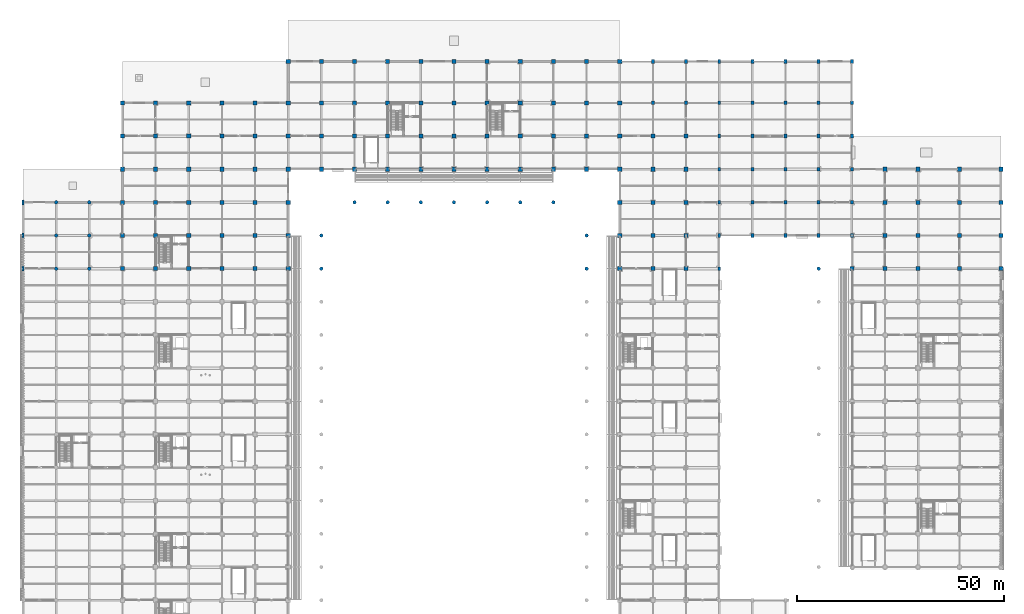
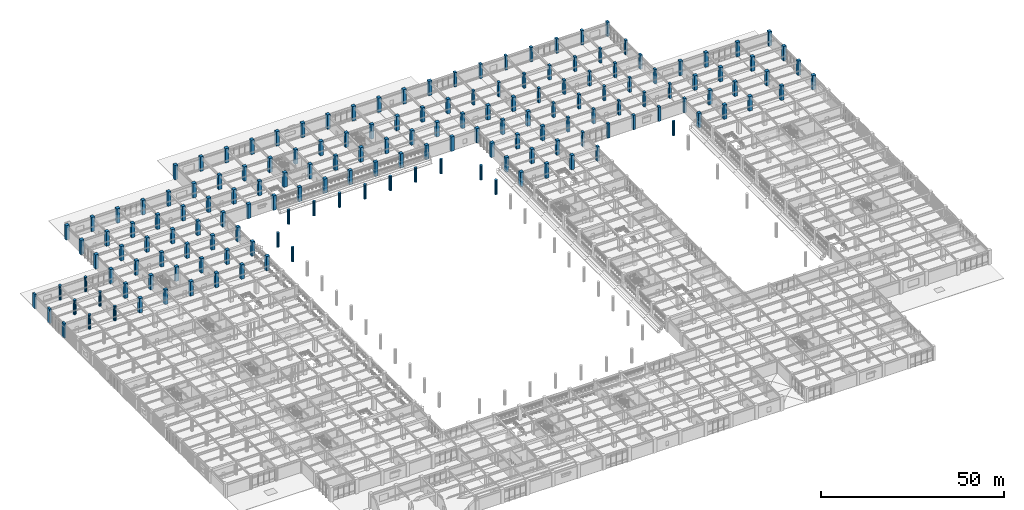
# One storey, part 6 of 117: 163 columns.
"""IFC4 building model written with IfcOpenShell, lengths in metres."""

import ifcopenshell
import ifcopenshell.guid

model = None  # the IFC model being written
_history = None  # IfcOwnerHistory: only IFC2X3 demands one
_inside = {}  # id of a spatial element -> (the spatial element, [elements in it])
_under = {}  # id of a project, library or spatial element -> (it, [spatial elements below it])
_declared = {}  # id of a project -> (the project, [libraries it declares])
_typed = {}  # id of a type object -> (the type object, [elements of that type])
_made_of = {}  # id of a material, layer set ... -> (it, [elements and type objects made of it])


def new_model(schema):
    """Start an empty IFC model of exactly this schema.

    Asked for "IFC4X3", IfcOpenShell would pick the latest addendum, in which some entities
    have other attributes; the version numbers below select the first issue.
    IFC2X3 requires an IfcOwnerHistory on every rooted entity: one is made here for all.
    """
    global model, _history
    if schema == "IFC4X3":
        model = ifcopenshell.file(schema_version=(4, 3, 0, 0))
    else:
        model = ifcopenshell.file(schema=schema)
    _inside.clear()
    _under.clear()
    _declared.clear()
    _typed.clear()
    _made_of.clear()
    _history = None
    if model.schema == "IFC2X3":
        org = make("IfcOrganization", Name="unknown")
        user = make(
            "IfcPersonAndOrganization",
            ThePerson=make("IfcPerson", FamilyName="unknown"),
            TheOrganization=org,
        )
        app = make(
            "IfcApplication",
            ApplicationDeveloper=org,
            Version="unknown",
            ApplicationFullName="unknown",
            ApplicationIdentifier="unknown",
        )
        _history = make(
            "IfcOwnerHistory",
            OwningUser=user,
            OwningApplication=app,
            ChangeAction="ADDED",
            CreationDate=0,
        )
    return model


def make(cls, **values):
    """One entity of the class cls with the attributes given. An attribute that is None is left unset."""
    return model.create_entity(
        cls, **{name: value for name, value in values.items() if value is not None}
    )


def rooted(cls, **values):
    """An entity with a GlobalId (a new one), such as an element, a storey or a relation."""
    return make(cls, GlobalId=ifcopenshell.guid.new(), OwnerHistory=_history, **values)


def si_unit(unit_type, name, prefix=None):
    """IfcSIUnit, for example si_unit("LENGTHUNIT", "METRE", prefix="MILLI")."""
    return make("IfcSIUnit", UnitType=unit_type, Prefix=prefix, Name=name)


def assignment(units):
    """IfcUnitAssignment: the units of a project."""
    return None if units is None else make("IfcUnitAssignment", Units=units)


def point(xyz):
    """IfcCartesianPoint."""
    return None if xyz is None else make("IfcCartesianPoint", Coordinates=xyz)


def direction(xyz):
    """IfcDirection."""
    return None if xyz is None else make("IfcDirection", DirectionRatios=xyz)


def frame(location, z_axis=None, x_axis=None):
    """IfcAxis2Placement3D, a coordinate frame: its origin and axes. An axis left out is left unset."""
    return make(
        "IfcAxis2Placement3D",
        Location=point(location),
        Axis=direction(z_axis),
        RefDirection=direction(x_axis),
    )


def frame_2d(location, x_axis=None):
    """IfcAxis2Placement2D, a coordinate frame in the plane: its origin and x axis."""
    return make(
        "IfcAxis2Placement2D", Location=point(location), RefDirection=direction(x_axis)
    )


def origin():
    """The frame at (0, 0, 0) with its axes left unset."""
    return frame((0.0, 0.0, 0.0))


def origin_2d():
    """The frame at (0, 0) in the plane with its x axis left unset."""
    return frame_2d((0.0, 0.0))


def place(relative_to, where):
    """IfcLocalPlacement: puts the frame where relative to a parent placement (None: the world)."""
    return make(
        "IfcLocalPlacement", PlacementRelTo=relative_to, RelativePlacement=where
    )


def context(
    kind, dimensions, precision=None, world=None, true_north=None, identifier=None
):
    """IfcGeometricRepresentationContext, for example the 3D "Model" context."""
    return make(
        "IfcGeometricRepresentationContext",
        ContextIdentifier=identifier,
        ContextType=kind,
        CoordinateSpaceDimension=dimensions,
        Precision=precision,
        WorldCoordinateSystem=world,
        TrueNorth=true_north,
    )


def subcontext(parent, identifier, kind, view, scale=None):
    """IfcGeometricRepresentationSubContext, for example "Body" below "Model"."""
    return make(
        "IfcGeometricRepresentationSubContext",
        ContextIdentifier=identifier,
        ContextType=kind,
        ParentContext=parent,
        TargetScale=scale,
        TargetView=view,
    )


def project(units=None, contexts=None):
    """IfcProject with its units and contexts."""
    return rooted(
        "IfcProject",
        Name="project",
        RepresentationContexts=contexts,
        UnitsInContext=assignment(units),
    )


def spatial(cls, under=None, at=None, **own):
    """A site, building, storey or space (cls), placed at a placement, below another one or the project."""
    s = rooted(cls, ObjectPlacement=at, **own)
    if under is not None:
        _under.setdefault(under.id(), (under, []))[1].append(s)
    return s


def profile(cls, at=None, kind="AREA", **sizes):
    """A parametric profile (cls). Its sizes go by their IFC names, for example OverallWidth=200.0."""
    return make(cls, ProfileType=kind, Position=at, **sizes)


def rectangle(**sizes):
    """IfcRectangleProfileDef."""
    return profile("IfcRectangleProfileDef", **sizes)


def circle(**sizes):
    """IfcCircleProfileDef."""
    return profile("IfcCircleProfileDef", **sizes)


def extrude(swept, where, along, depth):
    """IfcExtrudedAreaSolid: the profile swept, set in the frame where, extruded along a direction by depth."""
    return make(
        "IfcExtrudedAreaSolid",
        SweptArea=swept,
        Position=where,
        ExtrudedDirection=direction(along),
        Depth=depth,
    )


def shape(context_of_items, identifier, shape_type, items):
    """IfcShapeRepresentation: the items that make up one representation, for example the "Body"."""
    return make(
        "IfcShapeRepresentation",
        ContextOfItems=context_of_items,
        RepresentationIdentifier=identifier,
        RepresentationType=shape_type,
        Items=items,
    )


def material(Name=None, Category=None):
    """IfcMaterial."""
    return make("IfcMaterial", Name=Name, Category=Category)


def material_profile(
    of_material, cross_section, Name=None, Category=None, Priority=None
):
    """IfcMaterialProfile: a cross section and its material."""
    return make(
        "IfcMaterialProfile",
        Name=Name,
        Material=of_material,
        Profile=cross_section,
        Priority=Priority,
        Category=Category,
    )


def profile_set(profiles, Name=None, composite=None):
    """IfcMaterialProfileSet."""
    return make(
        "IfcMaterialProfileSet",
        Name=Name,
        MaterialProfiles=profiles,
        CompositeProfile=composite,
    )


def made_of(thing, what):
    """Note that an element or type object is made of a material, layer set ...; save() writes the relation."""
    if what is not None:
        _made_of.setdefault(what.id(), (what, []))[1].append(thing)
    return thing


def type_object(cls, material=None, **own):
    """A type object (cls), such as IfcWallType, which elements share."""
    return made_of(rooted(cls, **own), material)


def element(
    cls,
    number,
    at=None,
    inside=None,
    cuts=None,
    type_object=None,
    material=None,
    context=None,
    identifier="Body",
    shape_type=None,
    held_by="IfcProductDefinitionShape",
    body=None,
    shapes=None,
    **own,
):
    """One element of the class cls, such as IfcWall. Its Tag is "e" and its number.

    at: its placement. inside: the storey or other place that contains it. cuts: it is an
    opening in that element (IfcRelVoidsElement). A single representation is given by context,
    identifier, shape_type and body (its items); several are given by shapes. held_by: the class
    of the entity that holds the representations. save() writes the other relations.
    """
    e = rooted(cls, Tag="e%d" % number, ObjectPlacement=at, **own)
    if body is not None:
        shapes = [shape(context, identifier, shape_type, body)]
    if shapes is not None:
        e.Representation = make(held_by, Representations=shapes)
    if inside is not None:
        _inside.setdefault(inside.id(), (inside, []))[1].append(e)
    if cuts is not None:
        rooted(
            "IfcRelVoidsElement", RelatingBuildingElement=cuts, RelatedOpeningElement=e
        )
    if type_object is not None:
        _typed.setdefault(type_object.id(), (type_object, []))[1].append(e)
    return made_of(e, material)


def aggregate(whole, parts):
    """IfcRelAggregates: a whole, such as a stair, and the parts it consists of."""
    return rooted("IfcRelAggregates", RelatingObject=whole, RelatedObjects=parts)


def save(model, path):
    """Write the relations noted so far, then the file.

    IfcRelAggregates (storeys below a building ...), IfcRelContainedInSpatialStructure (elements
    in a storey), IfcRelDefinesByType, IfcRelAssociatesMaterial and IfcRelDeclares: one each for
    every whole, place, type object, material and project.
    """
    for whole, parts in _under.values():
        aggregate(whole, parts)
    for where, things in _inside.values():
        rooted(
            "IfcRelContainedInSpatialStructure",
            RelatedElements=things,
            RelatingStructure=where,
        )
    for kind, things in _typed.values():
        rooted("IfcRelDefinesByType", RelatedObjects=things, RelatingType=kind)
    for what, things in _made_of.values():
        rooted("IfcRelAssociatesMaterial", RelatedObjects=things, RelatingMaterial=what)
    for by, libraries in _declared.values():
        rooted("IfcRelDeclares", RelatingContext=by, RelatedDefinitions=libraries)
    model.write(path)


model = new_model("IFC4")

# Units and contexts
model_context = context("Model", 3, precision=1e-05, world=origin(), true_north=direction((0.0, 1.0)))
body_context = subcontext(model_context, "Body", "Model", "MODEL_VIEW")
ifc_project = project(units=[si_unit("LENGTHUNIT", "METRE"), si_unit("AREAUNIT", "SQUARE_METRE"), si_unit("VOLUMEUNIT", "CUBIC_METRE"), si_unit("PLANEANGLEUNIT", "RADIAN"), si_unit("MASSUNIT", "GRAM", prefix="KILO")], contexts=[model_context])

# Site, building, storey
site_placement = place(None, origin())
site = spatial("IfcSite", under=ifc_project, at=site_placement, CompositionType="ELEMENT")
building_placement = place(site_placement, origin())
building = spatial("IfcBuilding", under=site, at=building_placement, Name="Haebicheon Civic Stadium", CompositionType="ELEMENT")
storey_placement = place(building_placement, frame((0.0, 0.0, 4.800048828125)))
storey = spatial("IfcBuildingStorey", under=building, at=storey_placement, Name="L02", CompositionType="ELEMENT", Elevation=4.800048828125)

# Columns
ifc_material_1 = material(Name="Concrete C40/50", Category="concrete")
ifc_material_profile_1 = material_profile(ifc_material_1, rectangle(XDim=1.0, YDim=1.0, at=origin_2d()), Name="RC-COL-1000x1000")
ifc_profile_set_1 = profile_set([ifc_material_profile_1], Name="Concrete C40/50")
column_type_1 = type_object("IfcColumnType", Name="COL-RC-1000", PredefinedType="COLUMN", material=ifc_profile_set_1)
for number, where, z_axis, x_axis, name in (
    (1, (24.0, 128.0, 0.0), (0.0, 0.0, 1.0), (1.0, 0.0, 0.0), "L02 column 4/S"),
    (2, (24.0, 136.0, 0.0), (0.0, 0.0, 1.0), (1.0, 0.0, 0.0), "L02 column 4/T"),
    (3, (24.0, 144.0, 0.0), (0.0, 0.0, 1.0), (1.0, 0.0, 0.0), "L02 column 4/U"),
    (4, (24.0, 152.0, 0.0), (0.0, 0.0, 1.0), (1.0, 0.0, 0.0), "L02 column 4/V"),
    (5, (24.0, 160.0, 0.0), (0.0, 0.0, 1.0), (1.0, 0.0, 0.0), "L02 column 4/W"),
    (6, (24.0, 168.0, 0.0), (0.0, 0.0, 1.0), (1.0, 0.0, 0.0), "L02 column 4/X"),
    (7, (32.0, 128.0, 0.0), (0.0, 0.0, 1.0), (1.0, 0.0, 0.0), "L02 column 5/S"),
    (8, (32.0, 136.0, 0.0), (0.0, 0.0, 1.0), (1.0, 0.0, 0.0), "L02 column 5/T"),
    (9, (32.0, 144.0, 0.0), (0.0, 0.0, 1.0), (1.0, 0.0, 0.0), "L02 column 5/U"),
    (10, (32.0, 152.0, 0.0), (0.0, 0.0, 1.0), (1.0, 0.0, 0.0), "L02 column 5/V"),
    (11, (32.0, 160.0, 0.0), (0.0, 0.0, 1.0), (1.0, 0.0, 0.0), "L02 column 5/W"),
    (12, (32.0, 168.0, 0.0), (0.0, 0.0, 1.0), (1.0, 0.0, 0.0), "L02 column 5/X"),
    (13, (40.0, 128.0, 0.0), (0.0, 0.0, 1.0), (1.0, 0.0, 0.0), "L02 column 6/S"),
    (14, (40.0, 136.0, 0.0), (0.0, 0.0, 1.0), (1.0, 0.0, 0.0), "L02 column 6/T"),
    (15, (40.0, 144.0, 0.0), (0.0, 0.0, 1.0), (1.0, 0.0, 0.0), "L02 column 6/U"),
    (16, (40.0, 152.0, 0.0), (0.0, 0.0, 1.0), (1.0, 0.0, 0.0), "L02 column 6/V"),
    (17, (40.0, 160.0, 0.0), (0.0, 0.0, 1.0), (1.0, 0.0, 0.0), "L02 column 6/W"),
    (18, (40.0, 168.0, 0.0), (0.0, 0.0, 1.0), (1.0, 0.0, 0.0), "L02 column 6/X"),
    (19, (48.0, 128.0, 0.0), (0.0, 0.0, 1.0), (1.0, 0.0, 0.0), "L02 column 7/S"),
    (20, (48.0, 136.0, 0.0), (0.0, 0.0, 1.0), (1.0, 0.0, 0.0), "L02 column 7/T"),
    (21, (48.0, 144.0, 0.0), (0.0, 0.0, 1.0), (1.0, 0.0, 0.0), "L02 column 7/U"),
    (22, (48.0, 152.0, 0.0), (0.0, 0.0, 1.0), (1.0, 0.0, 0.0), "L02 column 7/V"),
    (23, (48.0, 160.0, 0.0), (0.0, 0.0, 1.0), (1.0, 0.0, 0.0), "L02 column 7/W"),
    (24, (48.0, 168.0, 0.0), (0.0, 0.0, 1.0), (1.0, 0.0, 0.0), "L02 column 7/X"),
    (25, (56.0, 128.0, 0.0), (0.0, 0.0, 1.0), (1.0, 0.0, 0.0), "L02 column 8/S"),
    (26, (56.0, 136.0, 0.0), (0.0, 0.0, 1.0), (1.0, 0.0, 0.0), "L02 column 8/T"),
    (27, (56.0, 144.0, 0.0), (0.0, 0.0, 1.0), (1.0, 0.0, 0.0), "L02 column 8/U"),
    (28, (56.0, 152.0, 0.0), (0.0, 0.0, 1.0), (1.0, 0.0, 0.0), "L02 column 8/V"),
    (29, (56.0, 160.0, 0.0), (0.0, 0.0, 1.0), (1.0, 0.0, 0.0), "L02 column 8/W"),
    (30, (56.0, 168.0, 0.0), (0.0, 0.0, 1.0), (1.0, 0.0, 0.0), "L02 column 8/X"),
    (31, (64.0, 128.0, 0.0), (0.0, 0.0, 1.0), (1.0, 0.0, 0.0), "L02 column 9/S"),
    (32, (64.0, 136.0, 0.0), (0.0, 0.0, 1.0), (1.0, 0.0, 0.0), "L02 column 9/T"),
    (33, (64.0, 144.0, 0.0), (0.0, 0.0, 1.0), (1.0, 0.0, 0.0), "L02 column 9/U"),
    (34, (64.0, 152.0, 0.0), (0.0, 0.0, 1.0), (1.0, 0.0, 0.0), "L02 column 9/V"),
    (35, (64.0, 160.0, 0.0), (0.0, 0.0, 1.0), (1.0, 0.0, 0.0), "L02 column 9/W"),
    (36, (64.0, 168.0, 0.0), (0.0, 0.0, 1.0), (1.0, 0.0, 0.0), "L02 column 9/X"),
    (37, (64.0, 178.0, 0.0), (0.0, 0.0, 1.0), (1.0, 0.0, 0.0), "L02 column 9/Y"),
    (38, (72.0, 152.0, 0.0), (0.0, 0.0, 1.0), (1.0, 0.0, 0.0), "L02 column 10/V"),
    (39, (72.0, 160.0, 0.0), (0.0, 0.0, 1.0), (1.0, 0.0, 0.0), "L02 column 10/W"),
    (40, (72.0, 168.0, 0.0), (0.0, 0.0, 1.0), (1.0, 0.0, 0.0), "L02 column 10/X"),
    (41, (72.0, 178.0, 0.0), (0.0, 0.0, 1.0), (1.0, 0.0, 0.0), "L02 column 10/Y"),
    (42, (80.0, 152.0, 0.0), (0.0, 0.0, 1.0), (1.0, 0.0, 0.0), "L02 column 11/V"),
    (43, (80.0, 160.0, 0.0), (0.0, 0.0, 1.0), (1.0, 0.0, 0.0), "L02 column 11/W"),
    (44, (80.0, 168.0, 0.0), (0.0, 0.0, 1.0), (1.0, 0.0, 0.0), "L02 column 11/X"),
    (45, (80.0, 178.0, 0.0), (0.0, 0.0, 1.0), (1.0, 0.0, 0.0), "L02 column 11/Y"),
    (46, (88.0, 152.0, 0.0), (0.0, 0.0, 1.0), (1.0, 0.0, 0.0), "L02 column 12/V"),
    (47, (88.0, 160.0, 0.0), (0.0, 0.0, 1.0), (1.0, 0.0, 0.0), "L02 column 12/W"),
    (48, (88.0, 168.0, 0.0), (0.0, 0.0, 1.0), (1.0, 0.0, 0.0), "L02 column 12/X"),
    (49, (88.0, 178.0, 0.0), (0.0, 0.0, 1.0), (1.0, 0.0, 0.0), "L02 column 12/Y"),
    (50, (96.0, 152.0, 0.0), (0.0, 0.0, 1.0), (1.0, 0.0, 0.0), "L02 column 13/V"),
    (51, (96.0, 160.0, 0.0), (0.0, 0.0, 1.0), (1.0, 0.0, 0.0), "L02 column 13/W"),
    (52, (96.0, 168.0, 0.0), (0.0, 0.0, 1.0), (1.0, 0.0, 0.0), "L02 column 13/X"),
    (53, (96.0, 178.0, 0.0), (0.0, 0.0, 1.0), (1.0, 0.0, 0.0), "L02 column 13/Y"),
    (54, (104.0, 152.0, 0.0), (0.0, 0.0, 1.0), (1.0, 0.0, 0.0), "L02 column 14/V"),
    (55, (104.0, 160.0, 0.0), (0.0, 0.0, 1.0), (1.0, 0.0, 0.0), "L02 column 14/W"),
    (56, (104.0, 168.0, 0.0), (0.0, 0.0, 1.0), (1.0, 0.0, 0.0), "L02 column 14/X"),
    (57, (104.0, 178.0, 0.0), (0.0, 0.0, 1.0), (1.0, 0.0, 0.0), "L02 column 14/Y"),
    (58, (112.0, 152.0, 0.0), (0.0, 0.0, 1.0), (1.0, 0.0, 0.0), "L02 column 15/V"),
    (59, (112.0, 160.0, 0.0), (0.0, 0.0, 1.0), (1.0, 0.0, 0.0), "L02 column 15/W"),
    (60, (112.0, 168.0, 0.0), (0.0, 0.0, 1.0), (1.0, 0.0, 0.0), "L02 column 15/X"),
    (61, (112.0, 178.0, 0.0), (0.0, 0.0, 1.0), (1.0, 0.0, 0.0), "L02 column 15/Y"),
    (62, (120.0, 152.0, 0.0), (0.0, 0.0, 1.0), (1.0, 0.0, 0.0), "L02 column 16/V"),
    (63, (120.0, 160.0, 0.0), (0.0, 0.0, 1.0), (1.0, 0.0, 0.0), "L02 column 16/W"),
    (64, (120.0, 168.0, 0.0), (0.0, 0.0, 1.0), (1.0, 0.0, 0.0), "L02 column 16/X"),
    (65, (120.0, 178.0, 0.0), (0.0, 0.0, 1.0), (1.0, 0.0, 0.0), "L02 column 16/Y"),
    (66, (128.0, 152.0, 0.0), (0.0, 0.0, 1.0), (1.0, 0.0, 0.0), "L02 column 17/V"),
    (67, (128.0, 160.0, 0.0), (0.0, 0.0, 1.0), (1.0, 0.0, 0.0), "L02 column 17/W"),
    (68, (128.0, 168.0, 0.0), (0.0, 0.0, 1.0), (1.0, 0.0, 0.0), "L02 column 17/X"),
    (69, (128.0, 178.0, 0.0), (0.0, 0.0, 1.0), (1.0, 0.0, 0.0), "L02 column 17/Y"),
    (70, (136.0, 152.0, 0.0), (0.0, 0.0, 1.0), (1.0, 0.0, 0.0), "L02 column 18/V"),
    (71, (136.0, 160.0, 0.0), (0.0, 0.0, 1.0), (1.0, 0.0, 0.0), "L02 column 18/W"),
    (72, (136.0, 168.0, 0.0), (0.0, 0.0, 1.0), (1.0, 0.0, 0.0), "L02 column 18/X"),
    (73, (136.0, 178.0, 0.0), (0.0, 0.0, 1.0), (1.0, 0.0, 0.0), "L02 column 18/Y"),
    (74, (144.0, 128.0, 0.0), (0.0, 0.0, 1.0), (1.0, 0.0, 0.0), "L02 column 19/S"),
    (75, (144.0, 136.0, 0.0), (0.0, 0.0, 1.0), (1.0, 0.0, 0.0), "L02 column 19/T"),
    (76, (144.0, 144.0, 0.0), (0.0, 0.0, 1.0), (1.0, 0.0, 0.0), "L02 column 19/U"),
    (77, (144.0, 152.0, 0.0), (0.0, 0.0, 1.0), (1.0, 0.0, 0.0), "L02 column 19/V"),
    (78, (144.0, 160.0, 0.0), (0.0, 0.0, 1.0), (1.0, 0.0, 0.0), "L02 column 19/W"),
    (79, (144.0, 168.0, 0.0), (0.0, 0.0, 1.0), (1.0, 0.0, 0.0), "L02 column 19/X"),
    (80, (144.0, 178.0, 0.0), (0.0, 0.0, 1.0), (1.0, 0.0, 0.0), "L02 column 19/Y"),
    (81, (152.0, 128.0, 0.0), (0.0, 0.0, 1.0), (1.0, 0.0, 0.0), "L02 column 20/S"),
    (82, (152.0, 136.0, 0.0), (0.0, 0.0, 1.0), (1.0, 0.0, 0.0), "L02 column 20/T"),
    (83, (152.0, 144.0, 0.0), (0.0, 0.0, 1.0), (1.0, 0.0, 0.0), "L02 column 20/U"),
    (84, (152.0, 152.0, 0.0), (0.0, 0.0, 1.0), (1.0, 0.0, 0.0), "L02 column 20/V"),
    (85, (152.0, 160.0, 0.0), (0.0, 0.0, 1.0), (1.0, 0.0, 0.0), "L02 column 20/W"),
    (86, (160.0, 128.0, 0.0), (0.0, 0.0, 1.0), (1.0, 0.0, 0.0), "L02 column 21/S"),
    (87, (160.0, 136.0, 0.0), (0.0, 0.0, 1.0), (1.0, 0.0, 0.0), "L02 column 21/T"),
    (88, (160.0, 144.0, 0.0), (0.0, 0.0, 1.0), (1.0, 0.0, 0.0), "L02 column 21/U"),
    (89, (160.0, 152.0, 0.0), (0.0, 0.0, 1.0), (1.0, 0.0, 0.0), "L02 column 21/V"),
    (90, (160.0, 160.0, 0.0), (0.0, 0.0, 1.0), (1.0, 0.0, 0.0), "L02 column 21/W"),
    (91, (200.0, 128.0, 0.0), (0.0, 0.0, 1.0), (1.0, 0.0, 0.0), "L02 column 26/S"),
    (92, (208.0, 128.0, 0.0), (0.0, 0.0, 1.0), (1.0, 0.0, 0.0), "L02 column 27/S"),
    (93, (208.0, 136.0, 0.0), (0.0, 0.0, 1.0), (1.0, 0.0, 0.0), "L02 column 27/T"),
    (94, (208.0, 144.0, 0.0), (0.0, 0.0, 1.0), (1.0, 0.0, 0.0), "L02 column 27/U"),
    (95, (208.0, 152.0, 0.0), (0.0, 0.0, 1.0), (1.0, 0.0, 0.0), "L02 column 27/V"),
    (96, (216.0, 128.0, 0.0), (0.0, 0.0, 1.0), (1.0, 0.0, 0.0), "L02 column 28/S"),
    (97, (216.0, 136.0, 0.0), (0.0, 0.0, 1.0), (1.0, 0.0, 0.0), "L02 column 28/T"),
    (98, (216.0, 144.0, 0.0), (0.0, 0.0, 1.0), (1.0, 0.0, 0.0), "L02 column 28/U"),
    (99, (216.0, 152.0, 0.0), (0.0, 0.0, 1.0), (1.0, 0.0, 0.0), "L02 column 28/V"),
    (100, (226.0, 128.0, 0.0), (0.0, 0.0, 1.0), (1.0, 0.0, 0.0), "L02 column 29/S"),
    (101, (226.0, 136.0, 0.0), (0.0, 0.0, 1.0), (1.0, 0.0, 0.0), "L02 column 29/T"),
    (102, (226.0, 144.0, 0.0), (0.0, 0.0, 1.0), (1.0, 0.0, 0.0), "L02 column 29/U"),
    (103, (226.0, 152.0, 0.0), (0.0, 0.0, 1.0), (1.0, 0.0, 0.0), "L02 column 29/V"),
    (104, (236.0, 128.0, 0.0), (0.0, 0.0, 1.0), (1.0, 0.0, 0.0), "L02 column 30/S"),
    (105, (236.0, 136.0, 0.0), (0.0, 0.0, 1.0), (1.0, 0.0, 0.0), "L02 column 30/T"),
    (106, (236.0, 144.0, 0.0), (0.0, 0.0, 1.0), (1.0, 0.0, 0.0), "L02 column 30/U"),
    (107, (236.0, 152.0, 0.0), (0.0, 0.0, 1.0), (1.0, 0.0, 0.0), "L02 column 30/V"),
):
    element("IfcColumn", number, at=place(storey_placement, frame(where, z_axis=z_axis, x_axis=x_axis)), inside=storey, type_object=column_type_1, material=ifc_profile_set_1, Name=name, PredefinedType="COLUMN", context=body_context, shape_type="SweptSolid", body=[
        extrude(rectangle(XDim=1.0, YDim=1.0, at=origin_2d()), origin(), (0.0, 0.0, 1.0), 4.800048828125),
    ])
ifc_material_2 = material(Name="Concrete C40/50", Category="concrete")
ifc_material_profile_2 = material_profile(ifc_material_2, rectangle(XDim=0.699951171875, YDim=0.89990234375, at=origin_2d()), Name="RC-COL-900x700")
ifc_profile_set_2 = profile_set([ifc_material_profile_2], Name="Concrete C40/50")
column_type_2 = type_object("IfcColumnType", Name="COL-RC-900x700", PredefinedType="COLUMN", material=ifc_profile_set_2)
for number, where, z_axis, x_axis, name in (
    (108, (152.0, 168.0, 0.0), (0.0, 0.0, 1.0), (1.0, 0.0, 0.0), "L02 column 20/X"),
    (109, (152.0, 178.0, 0.0), (0.0, 0.0, 1.0), (1.0, 0.0, 0.0), "L02 column 20/Y"),
    (110, (160.0, 168.0, 0.0), (0.0, 0.0, 1.0), (1.0, 0.0, 0.0), "L02 column 21/X"),
    (111, (160.0, 178.0, 0.0), (0.0, 0.0, 1.0), (1.0, 0.0, 0.0), "L02 column 21/Y"),
    (112, (168.0, 128.0, 0.0), (0.0, 0.0, 1.0), (1.0, 0.0, 0.0), "L02 column 22/S"),
    (113, (168.0, 136.0, 0.0), (0.0, 0.0, 1.0), (1.0, 0.0, 0.0), "L02 column 22/T"),
    (114, (168.0, 144.0, 0.0), (0.0, 0.0, 1.0), (1.0, 0.0, 0.0), "L02 column 22/U"),
    (115, (168.0, 152.0, 0.0), (0.0, 0.0, 1.0), (1.0, 0.0, 0.0), "L02 column 22/V"),
    (116, (168.0, 160.0, 0.0), (0.0, 0.0, 1.0), (1.0, 0.0, 0.0), "L02 column 22/W"),
    (117, (168.0, 168.0, 0.0), (0.0, 0.0, 1.0), (1.0, 0.0, 0.0), "L02 column 22/X"),
    (118, (168.0, 178.0, 0.0), (0.0, 0.0, 1.0), (1.0, 0.0, 0.0), "L02 column 22/Y"),
    (119, (176.0, 136.0, 0.0), (0.0, 0.0, 1.0), (1.0, 0.0, 0.0), "L02 column 23/T"),
    (120, (176.0, 144.0, 0.0), (0.0, 0.0, 1.0), (1.0, 0.0, 0.0), "L02 column 23/U"),
    (121, (176.0, 152.0, 0.0), (0.0, 0.0, 1.0), (1.0, 0.0, 0.0), "L02 column 23/V"),
    (122, (176.0, 160.0, 0.0), (0.0, 0.0, 1.0), (1.0, 0.0, 0.0), "L02 column 23/W"),
    (123, (176.0, 168.0, 0.0), (0.0, 0.0, 1.0), (1.0, 0.0, 0.0), "L02 column 23/X"),
    (124, (176.0, 178.0, 0.0), (0.0, 0.0, 1.0), (1.0, 0.0, 0.0), "L02 column 23/Y"),
    (125, (184.0, 136.0, 0.0), (0.0, 0.0, 1.0), (1.0, 0.0, 0.0), "L02 column 24/T"),
    (126, (184.0, 144.0, 0.0), (0.0, 0.0, 1.0), (1.0, 0.0, 0.0), "L02 column 24/U"),
    (127, (184.0, 152.0, 0.0), (0.0, 0.0, 1.0), (1.0, 0.0, 0.0), "L02 column 24/V"),
    (128, (184.0, 160.0, 0.0), (0.0, 0.0, 1.0), (1.0, 0.0, 0.0), "L02 column 24/W"),
    (129, (184.0, 168.0, 0.0), (0.0, 0.0, 1.0), (1.0, 0.0, 0.0), "L02 column 24/X"),
    (130, (184.0, 178.0, 0.0), (0.0, 0.0, 1.0), (1.0, 0.0, 0.0), "L02 column 24/Y"),
    (131, (192.0, 136.0, 0.0), (0.0, 0.0, 1.0), (1.0, 0.0, 0.0), "L02 column 25/T"),
    (132, (192.0, 144.0, 0.0), (0.0, 0.0, 1.0), (1.0, 0.0, 0.0), "L02 column 25/U"),
    (133, (192.0, 152.0, 0.0), (0.0, 0.0, 1.0), (1.0, 0.0, 0.0), "L02 column 25/V"),
    (134, (192.0, 160.0, 0.0), (0.0, 0.0, 1.0), (1.0, 0.0, 0.0), "L02 column 25/W"),
    (135, (192.0, 168.0, 0.0), (0.0, 0.0, 1.0), (1.0, 0.0, 0.0), "L02 column 25/X"),
    (136, (192.0, 178.0, 0.0), (0.0, 0.0, 1.0), (1.0, 0.0, 0.0), "L02 column 25/Y"),
    (137, (200.0, 136.0, 0.0), (0.0, 0.0, 1.0), (1.0, 0.0, 0.0), "L02 column 26/T"),
    (138, (200.0, 144.0, 0.0), (0.0, 0.0, 1.0), (1.0, 0.0, 0.0), "L02 column 26/U"),
    (139, (200.0, 152.0, 0.0), (0.0, 0.0, 1.0), (1.0, 0.0, 0.0), "L02 column 26/V"),
    (140, (200.0, 160.0, 0.0), (0.0, 0.0, 1.0), (1.0, 0.0, 0.0), "L02 column 26/W"),
    (141, (200.0, 168.0, 0.0), (0.0, 0.0, 1.0), (1.0, 0.0, 0.0), "L02 column 26/X"),
    (142, (200.0, 178.0, 0.0), (0.0, 0.0, 1.0), (1.0, 0.0, 0.0), "L02 column 26/Y"),
):
    element("IfcColumn", number, at=place(storey_placement, frame(where, z_axis=z_axis, x_axis=x_axis)), inside=storey, type_object=column_type_2, material=ifc_profile_set_2, Name=name, PredefinedType="COLUMN", context=body_context, shape_type="SweptSolid", body=[
        extrude(rectangle(XDim=0.699951171875, YDim=0.89990234375, at=origin_2d()), origin(), (0.0, 0.0, 1.0), 4.800048828125),
    ])
ifc_material_3 = material(Name="Concrete C40/50", Category="concrete")
ifc_material_profile_3 = material_profile(ifc_material_3, circle(Radius=0.425048828125, at=origin_2d()), Name="RC-COL-D850")
ifc_profile_set_3 = profile_set([ifc_material_profile_3], Name="Concrete C40/50")
column_type_3 = type_object("IfcColumnType", Name="COL-RC-D850", PredefinedType="COLUMN", material=ifc_profile_set_3)
for number, where, z_axis, x_axis, name in (
    (143, (8.0, 128.0, 0.0), (0.0, 0.0, 1.0), (1.0, 0.0, 0.0), "L02 column 2/S"),
    (144, (8.0, 136.0, 0.0), (0.0, 0.0, 1.0), (1.0, 0.0, 0.0), "L02 column 2/T"),
    (145, (8.0, 144.0, 0.0), (0.0, 0.0, 1.0), (1.0, 0.0, 0.0), "L02 column 2/U"),
    (146, (16.0, 128.0, 0.0), (0.0, 0.0, 1.0), (1.0, 0.0, 0.0), "L02 column 3/S"),
    (147, (16.0, 136.0, 0.0), (0.0, 0.0, 1.0), (1.0, 0.0, 0.0), "L02 column 3/T"),
    (148, (16.0, 144.0, 0.0), (0.0, 0.0, 1.0), (1.0, 0.0, 0.0), "L02 column 3/U"),
    (149, (72.0, 128.0, 0.0), (0.0, 0.0, 1.0), (1.0, 0.0, 0.0), "Bowl/canopy support column 72/128 (L02)"),
    (150, (72.0, 136.0, 0.0), (0.0, 0.0, 1.0), (1.0, 0.0, 0.0), "Bowl/canopy support column 72/136 (L02)"),
    (151, (136.0, 128.0, 0.0), (0.0, 0.0, 1.0), (1.0, 0.0, 0.0), "Bowl/canopy support column 136/128 (L02)"),
    (152, (136.0, 136.0, 0.0), (0.0, 0.0, 1.0), (1.0, 0.0, 0.0), "Bowl/canopy support column 136/136 (L02)"),
    (153, (80.0, 144.0, 0.0), (0.0, 0.0, 1.0), (1.0, 0.0, 0.0), "Bowl/canopy support column 80/144 (L02)"),
    (154, (88.0, 144.0, 0.0), (0.0, 0.0, 1.0), (1.0, 0.0, 0.0), "Bowl/canopy support column 88/144 (L02)"),
    (155, (96.0, 144.0, 0.0), (0.0, 0.0, 1.0), (1.0, 0.0, 0.0), "Bowl/canopy support column 96/144 (L02)"),
    (156, (104.0, 144.0, 0.0), (0.0, 0.0, 1.0), (1.0, 0.0, 0.0), "Bowl/canopy support column 104/144 (L02)"),
    (157, (112.0, 144.0, 0.0), (0.0, 0.0, 1.0), (1.0, 0.0, 0.0), "Bowl/canopy support column 112/144 (L02)"),
    (158, (120.0, 144.0, 0.0), (0.0, 0.0, 1.0), (1.0, 0.0, 0.0), "Bowl/canopy support column 120/144 (L02)"),
    (159, (128.0, 144.0, 0.0), (0.0, 0.0, 1.0), (1.0, 0.0, 0.0), "Bowl/canopy support column 128/144 (L02)"),
    (160, (192.0, 128.0, 0.0), (0.0, 0.0, 1.0), (1.0, 0.0, 0.0), "Bowl/canopy support column 192/128 (L02)"),
):
    element("IfcColumn", number, at=place(storey_placement, frame(where, z_axis=z_axis, x_axis=x_axis)), inside=storey, type_object=column_type_3, material=ifc_profile_set_3, Name=name, PredefinedType="COLUMN", context=body_context, shape_type="SweptSolid", body=[
        extrude(circle(Radius=0.425048828125, at=origin_2d()), origin(), (0.0, 0.0, 1.0), 4.800048828125),
    ])
ifc_material_4 = material(Name="Concrete C40/50", Category="concrete")
ifc_material_profile_4 = material_profile(ifc_material_4, rectangle(XDim=0.550048828125, YDim=1.199951171875, at=origin_2d()), Name="RC-PIL-550x1200")
ifc_profile_set_4 = profile_set([ifc_material_profile_4], Name="Concrete C40/50")
column_type_4 = type_object("IfcColumnType", Name="PIL-RC-550x1200", PredefinedType="PILASTER", material=ifc_profile_set_4)
for number, where, z_axis, x_axis, name in (
    (161, (0.0, 128.0, 0.0), (0.0, 0.0, 1.0), (1.0, 0.0, 0.0), "L02 column 1/S"),
    (162, (0.0, 136.0, 0.0), (0.0, 0.0, 1.0), (1.0, 0.0, 0.0), "L02 column 1/T"),
    (163, (0.0, 144.0, 0.0), (0.0, 0.0, 1.0), (1.0, 0.0, 0.0), "L02 column 1/U"),
):
    element("IfcColumn", number, at=place(storey_placement, frame(where, z_axis=z_axis, x_axis=x_axis)), inside=storey, type_object=column_type_4, material=ifc_profile_set_4, Name=name, PredefinedType="PILASTER", context=body_context, shape_type="SweptSolid", body=[
        extrude(rectangle(XDim=0.550048828125, YDim=1.199951171875, at=origin_2d()), origin(), (0.0, 0.0, 1.0), 4.800048828125),
    ])

save(model, "model.ifc")
